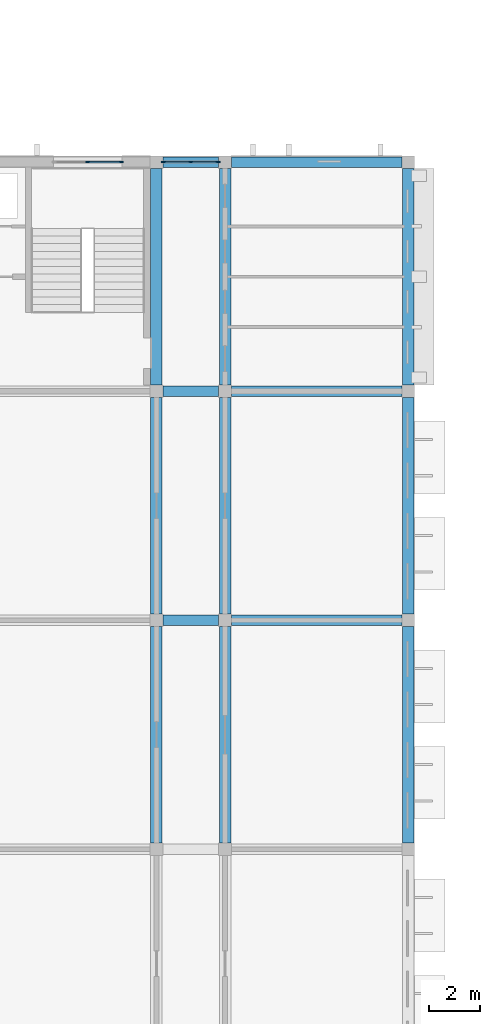
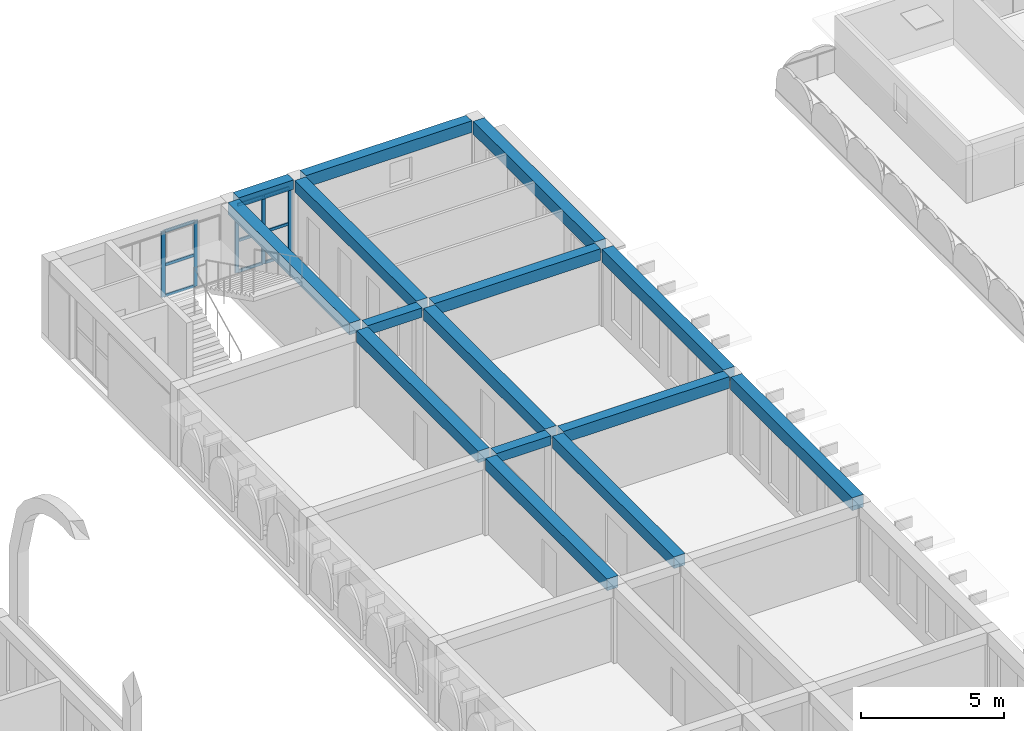
# One storey, part 28 of 65: 15 beams, 14 members, 2 elements without a shape of their own.
"""IFC4 building model written with IfcOpenShell, lengths in metres."""

import ifcopenshell
import ifcopenshell.guid

model = None  # the IFC model being written
_history = None  # IfcOwnerHistory: only IFC2X3 demands one
_inside = {}  # id of a spatial element -> (the spatial element, [elements in it])
_under = {}  # id of a project, library or spatial element -> (it, [spatial elements below it])
_declared = {}  # id of a project -> (the project, [libraries it declares])
_typed = {}  # id of a type object -> (the type object, [elements of that type])
_made_of = {}  # id of a material, layer set ... -> (it, [elements and type objects made of it])


def new_model(schema):
    """Start an empty IFC model of exactly this schema.

    Asked for "IFC4X3", IfcOpenShell would pick the latest addendum, in which some entities
    have other attributes; the version numbers below select the first issue.
    IFC2X3 requires an IfcOwnerHistory on every rooted entity: one is made here for all.
    """
    global model, _history
    if schema == "IFC4X3":
        model = ifcopenshell.file(schema_version=(4, 3, 0, 0))
    else:
        model = ifcopenshell.file(schema=schema)
    _inside.clear()
    _under.clear()
    _declared.clear()
    _typed.clear()
    _made_of.clear()
    _history = None
    if model.schema == "IFC2X3":
        org = make("IfcOrganization", Name="unknown")
        user = make(
            "IfcPersonAndOrganization",
            ThePerson=make("IfcPerson", FamilyName="unknown"),
            TheOrganization=org,
        )
        app = make(
            "IfcApplication",
            ApplicationDeveloper=org,
            Version="unknown",
            ApplicationFullName="unknown",
            ApplicationIdentifier="unknown",
        )
        _history = make(
            "IfcOwnerHistory",
            OwningUser=user,
            OwningApplication=app,
            ChangeAction="ADDED",
            CreationDate=0,
        )
    return model


def make(cls, **values):
    """One entity of the class cls with the attributes given. An attribute that is None is left unset."""
    return model.create_entity(
        cls, **{name: value for name, value in values.items() if value is not None}
    )


def rooted(cls, **values):
    """An entity with a GlobalId (a new one), such as an element, a storey or a relation."""
    return make(cls, GlobalId=ifcopenshell.guid.new(), OwnerHistory=_history, **values)


def si_unit(unit_type, name, prefix=None):
    """IfcSIUnit, for example si_unit("LENGTHUNIT", "METRE", prefix="MILLI")."""
    return make("IfcSIUnit", UnitType=unit_type, Prefix=prefix, Name=name)


def assignment(units):
    """IfcUnitAssignment: the units of a project."""
    return None if units is None else make("IfcUnitAssignment", Units=units)


def point(xyz):
    """IfcCartesianPoint."""
    return None if xyz is None else make("IfcCartesianPoint", Coordinates=xyz)


def direction(xyz):
    """IfcDirection."""
    return None if xyz is None else make("IfcDirection", DirectionRatios=xyz)


def frame(location, z_axis=None, x_axis=None):
    """IfcAxis2Placement3D, a coordinate frame: its origin and axes. An axis left out is left unset."""
    return make(
        "IfcAxis2Placement3D",
        Location=point(location),
        Axis=direction(z_axis),
        RefDirection=direction(x_axis),
    )


def frame_2d(location, x_axis=None):
    """IfcAxis2Placement2D, a coordinate frame in the plane: its origin and x axis."""
    return make(
        "IfcAxis2Placement2D", Location=point(location), RefDirection=direction(x_axis)
    )


def origin():
    """The frame at (0, 0, 0) with its axes left unset."""
    return frame((0.0, 0.0, 0.0))


def origin_2d():
    """The frame at (0, 0) in the plane with its x axis left unset."""
    return frame_2d((0.0, 0.0))


def place(relative_to, where):
    """IfcLocalPlacement: puts the frame where relative to a parent placement (None: the world)."""
    return make(
        "IfcLocalPlacement", PlacementRelTo=relative_to, RelativePlacement=where
    )


def context(
    kind, dimensions, precision=None, world=None, true_north=None, identifier=None
):
    """IfcGeometricRepresentationContext, for example the 3D "Model" context."""
    return make(
        "IfcGeometricRepresentationContext",
        ContextIdentifier=identifier,
        ContextType=kind,
        CoordinateSpaceDimension=dimensions,
        Precision=precision,
        WorldCoordinateSystem=world,
        TrueNorth=true_north,
    )


def subcontext(parent, identifier, kind, view, scale=None):
    """IfcGeometricRepresentationSubContext, for example "Body" below "Model"."""
    return make(
        "IfcGeometricRepresentationSubContext",
        ContextIdentifier=identifier,
        ContextType=kind,
        ParentContext=parent,
        TargetScale=scale,
        TargetView=view,
    )


def project(units=None, contexts=None):
    """IfcProject with its units and contexts."""
    return rooted(
        "IfcProject",
        Name="project",
        RepresentationContexts=contexts,
        UnitsInContext=assignment(units),
    )


def spatial(cls, under=None, at=None, **own):
    """A site, building, storey or space (cls), placed at a placement, below another one or the project."""
    s = rooted(cls, ObjectPlacement=at, **own)
    if under is not None:
        _under.setdefault(under.id(), (under, []))[1].append(s)
    return s


def profile(cls, at=None, kind="AREA", **sizes):
    """A parametric profile (cls). Its sizes go by their IFC names, for example OverallWidth=200.0."""
    return make(cls, ProfileType=kind, Position=at, **sizes)


def rectangle(**sizes):
    """IfcRectangleProfileDef."""
    return profile("IfcRectangleProfileDef", **sizes)


def extrude(swept, where, along, depth):
    """IfcExtrudedAreaSolid: the profile swept, set in the frame where, extruded along a direction by depth."""
    return make(
        "IfcExtrudedAreaSolid",
        SweptArea=swept,
        Position=where,
        ExtrudedDirection=direction(along),
        Depth=depth,
    )


def shape(context_of_items, identifier, shape_type, items):
    """IfcShapeRepresentation: the items that make up one representation, for example the "Body"."""
    return make(
        "IfcShapeRepresentation",
        ContextOfItems=context_of_items,
        RepresentationIdentifier=identifier,
        RepresentationType=shape_type,
        Items=items,
    )


def material(Name=None, Category=None):
    """IfcMaterial."""
    return make("IfcMaterial", Name=Name, Category=Category)


def layer(
    of_material, thickness, ventilated=None, Name=None, Category=None, Priority=None
):
    """IfcMaterialLayer: one layer of a wall or slab, of a material (None: an air gap)."""
    return make(
        "IfcMaterialLayer",
        Material=of_material,
        LayerThickness=thickness,
        IsVentilated=ventilated,
        Name=Name,
        Category=Category,
        Priority=Priority,
    )


def layer_set(layers, Name=None):
    """IfcMaterialLayerSet."""
    return make("IfcMaterialLayerSet", MaterialLayers=layers, LayerSetName=Name)


def material_profile(
    of_material, cross_section, Name=None, Category=None, Priority=None
):
    """IfcMaterialProfile: a cross section and its material."""
    return make(
        "IfcMaterialProfile",
        Name=Name,
        Material=of_material,
        Profile=cross_section,
        Priority=Priority,
        Category=Category,
    )


def profile_set(profiles, Name=None, composite=None):
    """IfcMaterialProfileSet."""
    return make(
        "IfcMaterialProfileSet",
        Name=Name,
        MaterialProfiles=profiles,
        CompositeProfile=composite,
    )


def made_of(thing, what):
    """Note that an element or type object is made of a material, layer set ...; save() writes the relation."""
    if what is not None:
        _made_of.setdefault(what.id(), (what, []))[1].append(thing)
    return thing


def type_object(cls, material=None, **own):
    """A type object (cls), such as IfcWallType, which elements share."""
    return made_of(rooted(cls, **own), material)


def element(
    cls,
    number,
    at=None,
    inside=None,
    cuts=None,
    type_object=None,
    material=None,
    context=None,
    identifier="Body",
    shape_type=None,
    held_by="IfcProductDefinitionShape",
    body=None,
    shapes=None,
    **own,
):
    """One element of the class cls, such as IfcWall. Its Tag is "e" and its number.

    at: its placement. inside: the storey or other place that contains it. cuts: it is an
    opening in that element (IfcRelVoidsElement). A single representation is given by context,
    identifier, shape_type and body (its items); several are given by shapes. held_by: the class
    of the entity that holds the representations. save() writes the other relations.
    """
    e = rooted(cls, Tag="e%d" % number, ObjectPlacement=at, **own)
    if body is not None:
        shapes = [shape(context, identifier, shape_type, body)]
    if shapes is not None:
        e.Representation = make(held_by, Representations=shapes)
    if inside is not None:
        _inside.setdefault(inside.id(), (inside, []))[1].append(e)
    if cuts is not None:
        rooted(
            "IfcRelVoidsElement", RelatingBuildingElement=cuts, RelatedOpeningElement=e
        )
    if type_object is not None:
        _typed.setdefault(type_object.id(), (type_object, []))[1].append(e)
    return made_of(e, material)


def aggregate(whole, parts):
    """IfcRelAggregates: a whole, such as a stair, and the parts it consists of."""
    return rooted("IfcRelAggregates", RelatingObject=whole, RelatedObjects=parts)


def save(model, path):
    """Write the relations noted so far, then the file.

    IfcRelAggregates (storeys below a building ...), IfcRelContainedInSpatialStructure (elements
    in a storey), IfcRelDefinesByType, IfcRelAssociatesMaterial and IfcRelDeclares: one each for
    every whole, place, type object, material and project.
    """
    for whole, parts in _under.values():
        aggregate(whole, parts)
    for where, things in _inside.values():
        rooted(
            "IfcRelContainedInSpatialStructure",
            RelatedElements=things,
            RelatingStructure=where,
        )
    for kind, things in _typed.values():
        rooted("IfcRelDefinesByType", RelatedObjects=things, RelatingType=kind)
    for what, things in _made_of.values():
        rooted("IfcRelAssociatesMaterial", RelatedObjects=things, RelatingMaterial=what)
    for by, libraries in _declared.values():
        rooted("IfcRelDeclares", RelatingContext=by, RelatedDefinitions=libraries)
    model.write(path)


model = new_model("IFC4")

# Units and contexts
model_context = context("Model", 3, precision=1e-05, world=origin(), true_north=direction((0.0, 1.0)))
body_context = subcontext(model_context, "Body", "Model", "MODEL_VIEW")
ifc_project = project(units=[si_unit("LENGTHUNIT", "METRE"), si_unit("AREAUNIT", "SQUARE_METRE"), si_unit("VOLUMEUNIT", "CUBIC_METRE"), si_unit("PLANEANGLEUNIT", "RADIAN"), si_unit("MASSUNIT", "GRAM", prefix="KILO")], contexts=[model_context])

# Site, building, storey
site_placement = place(None, origin())
site = spatial("IfcSite", under=ifc_project, at=site_placement, CompositionType="ELEMENT")
building_placement = place(site_placement, origin())
building = spatial("IfcBuilding", under=site, at=building_placement, Name="Elbe Cascade School", CompositionType="ELEMENT")
storey_placement = place(building_placement, frame((0.0, 0.0, 11.699951171875)))
storey = spatial("IfcBuildingStorey", under=building, at=storey_placement, Name="L03", CompositionType="ELEMENT", Elevation=11.699951171875)

# Curtain wall, members
ifc_material_1 = material(Name="Aluminium frame with double glazing, bronze anodised", Category="aluminium")
ifc_layer = layer(ifc_material_1, 0.159912109375)
ifc_layer_set = layer_set([ifc_layer], Name="Aluminium frame with double glazing, bronze anodised")
curtain_wall_type = type_object("IfcCurtainWallType", Name="Bars envelope Curtain wall, aluminium, bronze anodised, storey-high slot", PredefinedType="NOTDEFINED", material=ifc_layer_set)
curtain_wall_1_placement = place(storey_placement, origin())
curtain_wall_1 = element("IfcCurtainWall", 1, at=curtain_wall_1_placement, inside=storey, type_object=curtain_wall_type, Name="Curtain wall CW4 B.L03.n1", PredefinedType="NOTDEFINED")
ifc_material_2 = material(Name="Aluminium mullion, bronze anodised", Category="aluminium")
ifc_material_profile_1 = material_profile(ifc_material_2, rectangle(XDim=0.06005859375, YDim=0.159912109375, at=origin_2d()), Name="Bars envelope Curtain wall mullion 60 x 160, aluminium, storey-high slot")
ifc_profile_set_1 = profile_set([ifc_material_profile_1], Name="Aluminium mullion, bronze anodised")
member_type_1 = type_object("IfcMemberType", Name="Bars envelope Curtain wall mullion 60 x 160, aluminium, storey-high slot", PredefinedType="MULLION", material=ifc_profile_set_1)
member_1_placement = place(storey_placement, frame((103.10009765625, 60.0, 0.0), z_axis=(0.0, 0.0, 1.0), x_axis=(0.0, 1.0, 0.0)))
member_1 = element("IfcMember", 2, at=member_1_placement, type_object=member_type_1, Name="CW4 mullion 2", PredefinedType="MULLION", context=body_context, shape_type="SweptSolid", body=[
    extrude(rectangle(XDim=0.06005859375, YDim=0.159912109375, at=origin_2d()), origin(), (0.0, 0.0, 1.0), 2.800048828125),
])
member_2_placement = place(storey_placement, frame((104.419921875, 60.0, 0.0), z_axis=(0.0, 0.0, 1.0), x_axis=(0.0, 1.0, 0.0)))
member_2 = element("IfcMember", 3, at=member_2_placement, type_object=member_type_1, Name="CW4 mullion 3", PredefinedType="MULLION", context=body_context, shape_type="SweptSolid", body=[
    extrude(rectangle(XDim=0.06005859375, YDim=0.159912109375, at=origin_2d()), origin(), (0.0, 0.0, 1.0), 2.800048828125),
])

curtain_wall_2_placement = place(storey_placement, origin())
curtain_wall_2 = element("IfcCurtainWall", 4, at=curtain_wall_2_placement, inside=storey, type_object=curtain_wall_type, Name="Curtain wall CW4 B.L03.n2", PredefinedType="NOTDEFINED")
member_3_placement = place(storey_placement, frame((106.080078125, 60.0, 0.0), z_axis=(0.0, 0.0, 1.0), x_axis=(0.0, 1.0, 0.0)))
member_3 = element("IfcMember", 5, at=member_3_placement, type_object=member_type_1, Name="CW4 mullion 1", PredefinedType="MULLION", context=body_context, shape_type="SweptSolid", body=[
    extrude(rectangle(XDim=0.06005859375, YDim=0.159912109375, at=origin_2d()), origin(), (0.0, 0.0, 1.0), 2.900146484375),
])
member_4_placement = place(storey_placement, frame((107.14990234375, 60.0, 0.0), z_axis=(0.0, 0.0, 1.0), x_axis=(0.0, 1.0, 0.0)))
member_4 = element("IfcMember", 6, at=member_4_placement, type_object=member_type_1, Name="CW4 mullion 2", PredefinedType="MULLION", context=body_context, shape_type="SweptSolid", body=[
    extrude(rectangle(XDim=0.06005859375, YDim=0.159912109375, at=origin_2d()), origin(), (0.0, 0.0, 1.0), 2.900146484375),
])
member_5_placement = place(storey_placement, frame((108.219970703125, 60.0, 0.0), z_axis=(0.0, 0.0, 1.0), x_axis=(0.0, 1.0, 0.0)))
member_5 = element("IfcMember", 7, at=member_5_placement, type_object=member_type_1, Name="CW4 mullion 3", PredefinedType="MULLION", context=body_context, shape_type="SweptSolid", body=[
    extrude(rectangle(XDim=0.06005859375, YDim=0.159912109375, at=origin_2d()), origin(), (0.0, 0.0, 1.0), 2.900146484375),
])

# Member
ifc_material_3 = material(Name="Aluminium transom, bronze anodised", Category="aluminium")
ifc_material_profile_2 = material_profile(ifc_material_3, rectangle(XDim=0.06005859375, YDim=0.1201171875, at=origin_2d()), Name="Bars envelope Curtain wall transom 60 x 120, aluminium, storey-high slot")
ifc_profile_set_2 = profile_set([ifc_material_profile_2], Name="Aluminium transom, bronze anodised")
member_type_2 = type_object("IfcMemberType", Name="Bars envelope Curtain wall transom 60 x 120, aluminium, storey-high slot", PredefinedType="USERDEFINED", material=ifc_profile_set_2)
member_6_placement = place(storey_placement, frame((103.1298828125, 60.0, 0.030029296875), z_axis=(1.0, 0.0, 0.0), x_axis=(0.0, 1.0, 0.0)))
member_6 = element("IfcMember", 8, at=member_6_placement, type_object=member_type_2, Name="CW4 transom 2.1", ObjectType="TRANSOM", PredefinedType="USERDEFINED", context=body_context, shape_type="SweptSolid", body=[
    extrude(rectangle(XDim=0.06005859375, YDim=0.1201171875, at=origin_2d()), origin(), (0.0, 0.0, 1.0), 1.260009765625),
])

member_7_placement = place(storey_placement, frame((103.1298828125, 60.0, 1.35009765625), z_axis=(1.0, 0.0, 0.0), x_axis=(0.0, 1.0, 0.0)))
member_7 = element("IfcMember", 9, at=member_7_placement, type_object=member_type_2, Name="CW4 transom 2.2", ObjectType="TRANSOM", PredefinedType="USERDEFINED", context=body_context, shape_type="SweptSolid", body=[
    extrude(rectangle(XDim=0.06005859375, YDim=0.1201171875, at=origin_2d()), origin(), (0.0, 0.0, 1.0), 1.260009765625),
])

member_8_placement = place(storey_placement, frame((103.1298828125, 60.0, 2.77001953125), z_axis=(1.0, 0.0, 0.0), x_axis=(0.0, 1.0, 0.0)))
member_8 = element("IfcMember", 10, at=member_8_placement, type_object=member_type_2, Name="CW4 transom 2.3", ObjectType="TRANSOM", PredefinedType="USERDEFINED", context=body_context, shape_type="SweptSolid", body=[
    extrude(rectangle(XDim=0.06005859375, YDim=0.1201171875, at=origin_2d()), origin(), (0.0, 0.0, 1.0), 1.260009765625),
])

aggregate(curtain_wall_1, [member_1, member_2, member_6, member_7, member_8])

member_9_placement = place(storey_placement, frame((106.110107421875, 60.0, 0.030029296875), z_axis=(1.0, 0.0, 0.0), x_axis=(0.0, 1.0, 0.0)))
member_9 = element("IfcMember", 11, at=member_9_placement, type_object=member_type_2, Name="CW4 transom 1.1", ObjectType="TRANSOM", PredefinedType="USERDEFINED", context=body_context, shape_type="SweptSolid", body=[
    extrude(rectangle(XDim=0.06005859375, YDim=0.1201171875, at=origin_2d()), origin(), (0.0, 0.0, 1.0), 1.010009765625),
])

member_10_placement = place(storey_placement, frame((106.110107421875, 60.0, 1.35009765625), z_axis=(1.0, 0.0, 0.0), x_axis=(0.0, 1.0, 0.0)))
member_10 = element("IfcMember", 12, at=member_10_placement, type_object=member_type_2, Name="CW4 transom 1.2", ObjectType="TRANSOM", PredefinedType="USERDEFINED", context=body_context, shape_type="SweptSolid", body=[
    extrude(rectangle(XDim=0.06005859375, YDim=0.1201171875, at=origin_2d()), origin(), (0.0, 0.0, 1.0), 1.010009765625),
])

member_11_placement = place(storey_placement, frame((106.110107421875, 60.0, 2.8701171875), z_axis=(1.0, 0.0, 0.0), x_axis=(0.0, 1.0, 0.0)))
member_11 = element("IfcMember", 13, at=member_11_placement, type_object=member_type_2, Name="CW4 transom 1.3", ObjectType="TRANSOM", PredefinedType="USERDEFINED", context=body_context, shape_type="SweptSolid", body=[
    extrude(rectangle(XDim=0.06005859375, YDim=0.1201171875, at=origin_2d()), origin(), (0.0, 0.0, 1.0), 1.010009765625),
])

member_12_placement = place(storey_placement, frame((107.179931640625, 60.0, 0.030029296875), z_axis=(1.0, 0.0, 0.0), x_axis=(0.0, 1.0, 0.0)))
member_12 = element("IfcMember", 14, at=member_12_placement, type_object=member_type_2, Name="CW4 transom 2.1", ObjectType="TRANSOM", PredefinedType="USERDEFINED", context=body_context, shape_type="SweptSolid", body=[
    extrude(rectangle(XDim=0.06005859375, YDim=0.1201171875, at=origin_2d()), origin(), (0.0, 0.0, 1.0), 1.010009765625),
])

member_13_placement = place(storey_placement, frame((107.179931640625, 60.0, 1.35009765625), z_axis=(1.0, 0.0, 0.0), x_axis=(0.0, 1.0, 0.0)))
member_13 = element("IfcMember", 15, at=member_13_placement, type_object=member_type_2, Name="CW4 transom 2.2", ObjectType="TRANSOM", PredefinedType="USERDEFINED", context=body_context, shape_type="SweptSolid", body=[
    extrude(rectangle(XDim=0.06005859375, YDim=0.1201171875, at=origin_2d()), origin(), (0.0, 0.0, 1.0), 1.010009765625),
])

member_14_placement = place(storey_placement, frame((107.179931640625, 60.0, 2.8701171875), z_axis=(1.0, 0.0, 0.0), x_axis=(0.0, 1.0, 0.0)))
member_14 = element("IfcMember", 16, at=member_14_placement, type_object=member_type_2, Name="CW4 transom 2.3", ObjectType="TRANSOM", PredefinedType="USERDEFINED", context=body_context, shape_type="SweptSolid", body=[
    extrude(rectangle(XDim=0.06005859375, YDim=0.1201171875, at=origin_2d()), origin(), (0.0, 0.0, 1.0), 1.010009765625),
])

aggregate(curtain_wall_2, [member_3, member_4, member_5, member_9, member_10, member_11, member_12, member_13, member_14])

# Beams
ifc_material_4 = material(Name="Concrete C30/37", Category="concrete")
ifc_material_profile_3 = material_profile(ifc_material_4, rectangle(XDim=0.39990234375, YDim=0.39990234375, at=origin_2d()), Name="RC 400x400")
ifc_profile_set_3 = profile_set([ifc_material_profile_3], Name="Concrete C30/37")
beam_type_1 = type_object("IfcBeamType", Name="RC 400x400 beam", PredefinedType="BEAM", material=ifc_profile_set_3)
for number, where, z_axis, x_axis, name in (
    (17, (106.050048828125, 42.0, 3.10009765625), (1.0, 0.0, 0.0), (0.0, 1.0, 0.0), "RC 400x400 beam B5"),
    (18, (106.050048828125, 51.0, 3.10009765625), (1.0, 0.0, 0.0), (0.0, 1.0, 0.0), "RC 400x400 beam B5"),
    (19, (106.050048828125, 60.0, 3.10009765625), (1.0, 0.0, 0.0), (0.0, 1.0, 0.0), "RC 400x400 beam B5"),
):
    element("IfcBeam", number, at=place(storey_placement, frame(where, z_axis=z_axis, x_axis=x_axis)), inside=storey, type_object=beam_type_1, Name=name, PredefinedType="BEAM", context=body_context, shape_type="SweptSolid", body=[
        extrude(rectangle(XDim=0.39990234375, YDim=0.39990234375, at=origin_2d()), origin(), (0.0, 0.0, 1.0), 2.199951171875),
    ])
ifc_material_5 = material(Name="Concrete C30/37", Category="concrete")
ifc_material_profile_4 = material_profile(ifc_material_5, rectangle(XDim=0.39990234375, YDim=0.5, at=origin_2d()), Name="RC 400x500")
ifc_profile_set_4 = profile_set([ifc_material_profile_4], Name="Concrete C30/37")
beam_type_2 = type_object("IfcBeamType", Name="RC 400x500 beam", PredefinedType="BEAM", material=ifc_profile_set_4)
for number, where, z_axis, x_axis, name in (
    (20, (108.75, 42.0, 3.050048828125), (1.0, 0.0, 0.0), (0.0, 1.0, 0.0), "RC 400x500 beam B1"),
    (21, (108.75, 51.0, 3.050048828125), (1.0, 0.0, 0.0), (0.0, 1.0, 0.0), "RC 400x500 beam B1"),
    (22, (108.75, 60.0, 3.050048828125), (1.0, 0.0, 0.0), (0.0, 1.0, 0.0), "RC 400x500 beam B1"),
):
    element("IfcBeam", number, at=place(storey_placement, frame(where, z_axis=z_axis, x_axis=x_axis)), inside=storey, type_object=beam_type_2, Name=name, PredefinedType="BEAM", context=body_context, shape_type="SweptSolid", body=[
        extrude(rectangle(XDim=0.39990234375, YDim=0.5, at=origin_2d()), origin(), (0.0, 0.0, 1.0), 6.699951171875),
    ])
ifc_material_6 = material(Name="Concrete C30/37", Category="concrete")
ifc_material_profile_5 = material_profile(ifc_material_6, rectangle(XDim=0.449951171875, YDim=0.5, at=origin_2d()), Name="RC 450x500")
ifc_profile_set_5 = profile_set([ifc_material_profile_5], Name="Concrete C30/37")
beam_type_3 = type_object("IfcBeamType", Name="RC 450x500 beam", PredefinedType="BEAM", material=ifc_profile_set_5)
for number, where, z_axis, x_axis, name in (
    (23, (105.800048828125, 33.25, 3.050048828125), (0.0, 1.0, 0.0), (-1.0, 0.0, 0.0), "RC 450x500 beam B9"),
    (24, (105.800048828125, 42.25, 3.050048828125), (0.0, 1.0, 0.0), (-1.0, 0.0, 0.0), "RC 450x500 beam B9"),
    (25, (105.800048828125, 51.25, 3.050048828125), (0.0, 1.0, 0.0), (-1.0, 0.0, 0.0), "RC 450x500 beam B9"),
    (26, (108.5, 33.25, 3.050048828125), (0.0, 1.0, 0.0), (-1.0, 0.0, 0.0), "RC 450x500 beam B9"),
    (27, (108.5, 42.25, 3.050048828125), (0.0, 1.0, 0.0), (-1.0, 0.0, 0.0), "RC 450x500 beam B9"),
    (28, (108.5, 51.25, 3.050048828125), (0.0, 1.0, 0.0), (-1.0, 0.0, 0.0), "RC 450x500 beam B9"),
):
    element("IfcBeam", number, at=place(storey_placement, frame(where, z_axis=z_axis, x_axis=x_axis)), inside=storey, type_object=beam_type_3, Name=name, PredefinedType="BEAM", context=body_context, shape_type="SweptSolid", body=[
        extrude(rectangle(XDim=0.449951171875, YDim=0.5, at=origin_2d()), origin(), (0.0, 0.0, 1.0), 8.5),
    ])
ifc_material_7 = material(Name="Concrete C30/37", Category="concrete")
ifc_material_profile_6 = material_profile(ifc_material_7, rectangle(XDim=0.449951171875, YDim=0.550048828125, at=origin_2d()), Name="RC 450x550")
ifc_profile_set_6 = profile_set([ifc_material_profile_6], Name="Concrete C30/37")
beam_type_4 = type_object("IfcBeamType", Name="RC 450x550 beam", PredefinedType="BEAM", material=ifc_profile_set_6)
for number, where, z_axis, x_axis, name in (
    (29, (115.699951171875, 33.25, 3.025146484375), (0.0, 1.0, 0.0), (-1.0, 0.0, 0.0), "RC 450x550 beam B12"),
    (30, (115.699951171875, 42.25, 3.025146484375), (0.0, 1.0, 0.0), (-1.0, 0.0, 0.0), "RC 450x550 beam B12"),
    (31, (115.699951171875, 51.25, 3.025146484375), (0.0, 1.0, 0.0), (-1.0, 0.0, 0.0), "RC 450x550 beam B12"),
):
    element("IfcBeam", number, at=place(storey_placement, frame(where, z_axis=z_axis, x_axis=x_axis)), inside=storey, type_object=beam_type_4, Name=name, PredefinedType="BEAM", context=body_context, shape_type="SweptSolid", body=[
        extrude(rectangle(XDim=0.449951171875, YDim=0.550048828125, at=origin_2d()), origin(), (0.0, 0.0, 1.0), 8.5),
    ])

save(model, "model.ifc")
